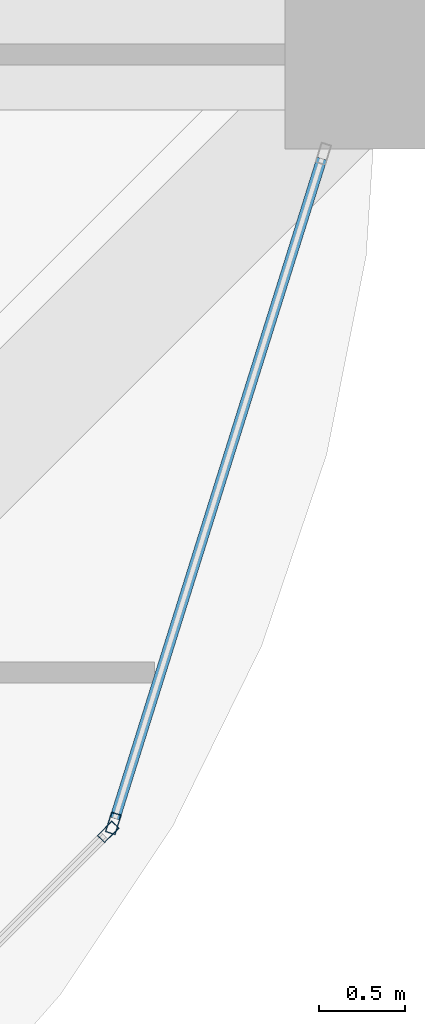
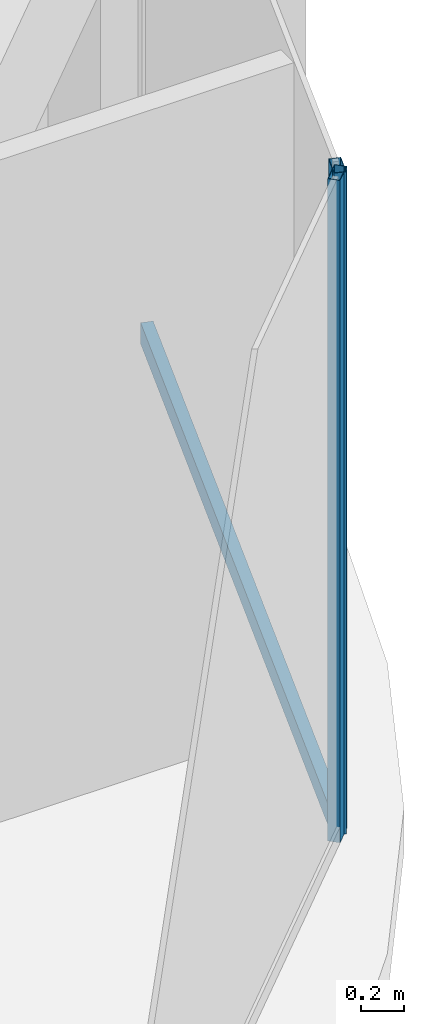
# One storey, part 20 of 45: 3 members, 2 elements without a shape of their own.
"""IFC4 building model written with IfcOpenShell, lengths in metres."""

from ifc_helpers import new_model, si_unit, direction, frame, origin, origin_2d, place, context, subcontext, project, spatial, hollow_rectangle, extrude, material, material_profile, profile_set, type_object, element, aggregate, save


model = new_model("IFC4")

# Units and contexts
model_context = context("Model", 3, precision=1e-05, world=origin(), true_north=direction((0.0, 1.0)))
body_context = subcontext(model_context, "Body", "Model", "MODEL_VIEW")
ifc_project = project(units=[si_unit("LENGTHUNIT", "METRE"), si_unit("AREAUNIT", "SQUARE_METRE"), si_unit("VOLUMEUNIT", "CUBIC_METRE"), si_unit("PLANEANGLEUNIT", "RADIAN"), si_unit("MASSUNIT", "GRAM", prefix="KILO")], contexts=[model_context])

# Site, building, storey
site_placement = place(None, origin())
site = spatial("IfcSite", under=ifc_project, at=site_placement, CompositionType="ELEMENT")
building_placement = place(site_placement, origin())
building = spatial("IfcBuilding", under=site, at=building_placement, Name="Zorevar Civic Tower", CompositionType="ELEMENT")
storey_placement = place(building_placement, frame((0.0, 0.0, 279.39990234375)))
storey = spatial("IfcBuildingStorey", under=building, at=storey_placement, Name="L68", CompositionType="ELEMENT", Elevation=279.39990234375)

# Curtain wall, member
ifc_material_1 = material(Name="Dark grey solar-control glass in black aluminium frame", Category="aluminium")
curtain_wall_type = type_object("IfcCurtainWallType", Name="Curtain wall CW5 top zone", PredefinedType="NOTDEFINED", material=ifc_material_1)
curtain_wall_1_placement = place(storey_placement, origin())
curtain_wall_1 = element("IfcCurtainWall", 1, at=curtain_wall_1_placement, inside=storey, type_object=curtain_wall_type, Name="CW5 L68", PredefinedType="NOTDEFINED")
ifc_material_2 = material(Name="Aluminium, black anodised", Category="aluminium")
ifc_material_profile_1 = material_profile(ifc_material_2, hollow_rectangle(XDim=0.06005859375, YDim=0.1201171875, WallThickness=0.0029296875, at=origin_2d()), Name="AL 120x60x3")
ifc_profile_set_1 = profile_set([ifc_material_profile_1], Name="Aluminium, black anodised")
member_type_1 = type_object("IfcMemberType", Name="CW5 mullion AL 120x60x3", PredefinedType="MULLION", material=ifc_profile_set_1)
member_1_placement = place(storey_placement, frame((52.419677734375, 4.470947265625, 0.0), z_axis=(0.0, 0.0, 1.0), x_axis=(-0.707106781187, 0.707106781187, 0.0)))
member_1 = element("IfcMember", 2, at=member_1_placement, type_object=member_type_1, Name="CW5 mullion 2", PredefinedType="MULLION", context=body_context, shape_type="SweptSolid", body=[
    extrude(hollow_rectangle(XDim=0.06005859375, YDim=0.1201171875, WallThickness=0.0029296875, at=origin_2d()), origin(), (0.0, 0.0, 1.0), 3.75),
])
aggregate(curtain_wall_1, [member_1])

# Curtain wall, members
curtain_wall_2_placement = place(storey_placement, origin())
curtain_wall_2 = element("IfcCurtainWall", 3, at=curtain_wall_2_placement, inside=storey, type_object=curtain_wall_type, Name="CW5 L68", PredefinedType="NOTDEFINED")
member_2_placement = place(storey_placement, frame((52.449951171875, 4.520751953125, 0.0), z_axis=(0.0, 0.0, 1.0), x_axis=(-0.954153437674, 0.299317920238, 0.0)))
member_2 = element("IfcMember", 4, at=member_2_placement, type_object=member_type_1, Name="CW5 mullion 1", PredefinedType="MULLION", context=body_context, shape_type="SweptSolid", body=[
    extrude(hollow_rectangle(XDim=0.06005859375, YDim=0.1201171875, WallThickness=0.0029296875, at=origin_2d()), origin(), (0.0, 0.0, 1.0), 3.75),
])
ifc_material_3 = material(Name="Aluminium, black anodised", Category="aluminium")
ifc_material_profile_2 = material_profile(ifc_material_3, hollow_rectangle(XDim=0.06005859375, YDim=0.1201171875, WallThickness=0.0029296875, at=origin_2d()), Name="AL 120x60x3")
ifc_profile_set_2 = profile_set([ifc_material_profile_2], Name="Aluminium, black anodised")
member_type_2 = type_object("IfcMemberType", Name="CW5 transom AL 120x60x3", PredefinedType="USERDEFINED", material=ifc_profile_set_2)
member_3_placement = place(storey_placement, frame((52.458984375, 4.54931640625, 0.030029296875), z_axis=(0.299285978047, 0.954163457351, 0.0), x_axis=(-0.954163457351, 0.299285978047, 0.0)))
member_3 = element("IfcMember", 5, at=member_3_placement, type_object=member_type_2, Name="CW5 sill transom", ObjectType="TRANSOM", PredefinedType="USERDEFINED", context=body_context, shape_type="SweptSolid", body=[
    extrude(hollow_rectangle(XDim=0.06005859375, YDim=0.1201171875, WallThickness=0.0029296875, at=origin_2d()), origin(), (0.0, 0.0, 1.0), 4.028076171875),
])
aggregate(curtain_wall_2, [member_2, member_3])

save(model, "model.ifc")
